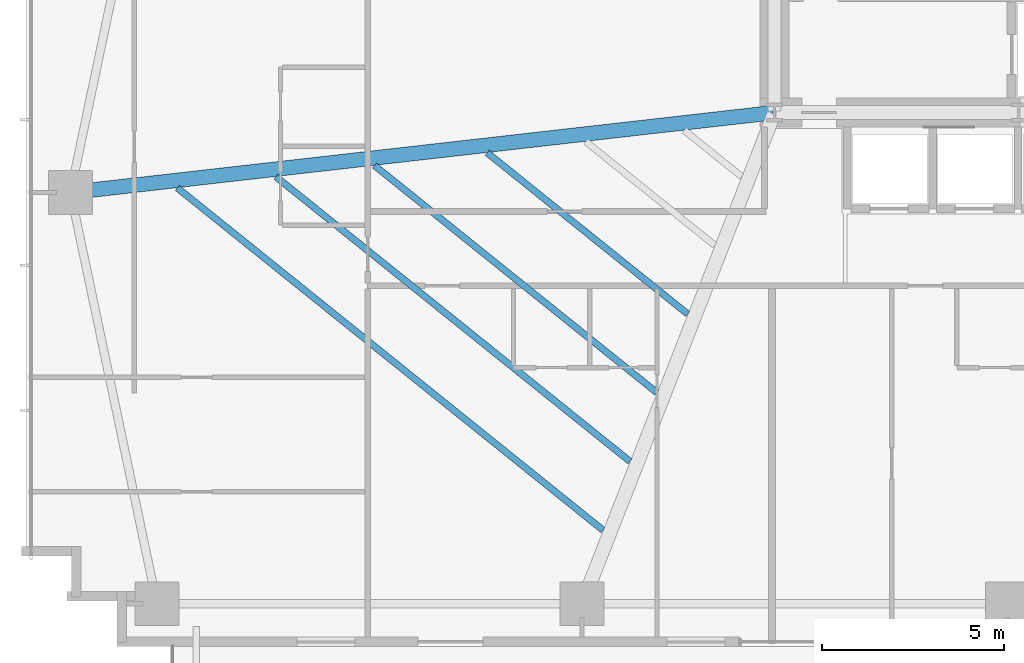
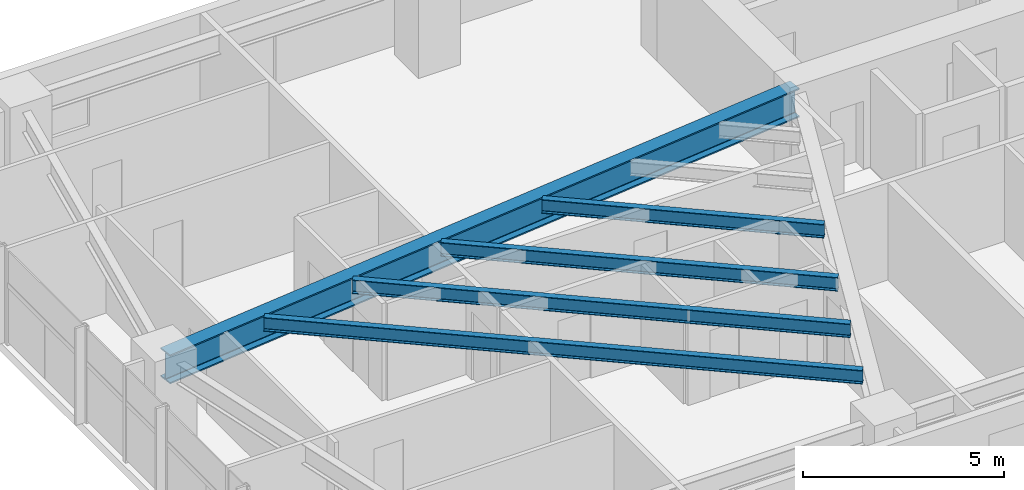
# One storey, part 5 of 25: 5 beams.
"""IFC4 building model written with IfcOpenShell, lengths in metres."""

from ifc_helpers import new_model, si_unit, direction, frame, origin, origin_2d, place, context, subcontext, project, spatial, i_section, extrude, source, transform, mapped, material, material_profile, profile_set, type_object, type_shapes, element, save


model = new_model("IFC4")

# Units and contexts
model_context = context("Model", 3, precision=1e-05, world=origin(), true_north=direction((0.0, 1.0)))
body_context = subcontext(model_context, "Body", "Model", "MODEL_VIEW")
ifc_project = project(units=[si_unit("LENGTHUNIT", "METRE"), si_unit("AREAUNIT", "SQUARE_METRE"), si_unit("VOLUMEUNIT", "CUBIC_METRE"), si_unit("PLANEANGLEUNIT", "RADIAN"), si_unit("MASSUNIT", "GRAM", prefix="KILO")], contexts=[model_context])

# Site, building, storey
site_placement = place(None, origin())
site = spatial("IfcSite", under=ifc_project, at=site_placement, CompositionType="ELEMENT")
building_placement = place(site_placement, origin())
building = spatial("IfcBuilding", under=site, at=building_placement, Name="Astriad Promenade Condominiums", CompositionType="ELEMENT")
storey_placement = place(building_placement, frame((0.0, 0.0, 48.60009765625)))
storey = spatial("IfcBuildingStorey", under=building, at=storey_placement, Name="L13", CompositionType="ELEMENT", Elevation=48.60009765625)

# Beams
ifc_material = material(Name="Steel ASTM A992 Grade 50", Category="steel")
ifc_material_profile_1 = material_profile(ifc_material, i_section(OverallWidth=0.4013671875, OverallDepth=0.877197265625, WebThickness=0.022216796875, FlangeThickness=0.039794921875, FilletRadius=0.02294921875, at=origin_2d()), Name="W33X263")
ifc_profile_set_1 = profile_set([ifc_material_profile_1], Name="Steel ASTM A992 Grade 50")
beam_type_1 = type_object("IfcBeamType", Name="STEEL PRIMARY GIRDER W33X263", PredefinedType="BEAM", material=ifc_profile_set_1)
shared_shape_1 = source(origin(), body_context, "Body", "SweptSolid", [
    extrude(i_section(OverallWidth=0.4013671875, OverallDepth=0.877197265625, WebThickness=0.022216796875, FlangeThickness=0.039794921875, FilletRadius=0.02294921875, at=origin_2d()), origin(), (0.0, 0.0, 1.0), 19.424560546875),
])
type_shapes(beam_type_1, [shared_shape_1])
beam_1_placement = place(storey_placement, frame((7.059814453125, 15.20458984375, 2.501220703125), z_axis=(0.993618675315, 0.11279152479, 0.0), x_axis=(-0.11279152479, 0.993618675315, 0.0)))
element("IfcBeam", 1, at=beam_1_placement, inside=storey, type_object=beam_type_1, Name="Primary Floor Girder PG-WM-L13", PredefinedType="BEAM", context=body_context, shape_type="MappedRepresentation", body=[
    mapped(shared_shape_1, transform((0.0, 0.0, 0.0), scale=1.0)),
])
ifc_material_profile_2 = material_profile(ifc_material, i_section(OverallWidth=0.180908203125, OverallDepth=0.417236328125, WebThickness=0.010986328125, FlangeThickness=0.018310546875, FilletRadius=0.013916015625, at=origin_2d()), Name="W16X57")
ifc_profile_set_2 = profile_set([ifc_material_profile_2], Name="Steel ASTM A992 Grade 50")
beam_type_2 = type_object("IfcBeamType", Name="STEEL FLOOR JOIST W16X57", PredefinedType="JOIST", material=ifc_profile_set_2)
shared_shape_2 = source(origin(), body_context, "Body", "SweptSolid", [
    extrude(i_section(OverallWidth=0.180908203125, OverallDepth=0.417236328125, WebThickness=0.010986328125, FlangeThickness=0.018310546875, FilletRadius=0.013916015625, at=origin_2d()), origin(), (0.0, 0.0, 1.0), 15.033447265625),
])
beam_2_placement = place(storey_placement, frame((9.961181640625, 15.32470703125, 2.731201171875), z_axis=(0.779353434302, -0.626584570862, 0.0), x_axis=(0.626584570862, 0.779353434302, 0.0)))
element("IfcBeam", 2, at=beam_2_placement, inside=storey, type_object=beam_type_2, Name="Secondary Composite Floor Joist JW1-1-L13", PredefinedType="JOIST", context=body_context, shape_type="MappedRepresentation", body=[
    mapped(shared_shape_2, transform((0.0, 0.0, 0.0), scale=1.0)),
])
shared_shape_3 = source(origin(), body_context, "Body", "SweptSolid", [
    extrude(i_section(OverallWidth=0.180908203125, OverallDepth=0.417236328125, WebThickness=0.010986328125, FlangeThickness=0.018310546875, FilletRadius=0.013916015625, at=origin_2d()), origin(), (0.0, 0.0, 1.0), 12.50439453125),
])
beam_3_placement = place(storey_placement, frame((12.67431640625, 15.6328125, 2.731201171875), z_axis=(0.77935791062, -0.626579003122, 0.0), x_axis=(0.626579003122, 0.77935791062, 0.0)))
element("IfcBeam", 3, at=beam_3_placement, inside=storey, type_object=beam_type_2, Name="Secondary Composite Floor Joist JW1-2-L13", PredefinedType="JOIST", context=body_context, shape_type="MappedRepresentation", body=[
    mapped(shared_shape_3, transform((0.0, 0.0, 0.0), scale=1.0)),
])
shared_shape_4 = source(origin(), body_context, "Body", "SweptSolid", [
    extrude(i_section(OverallWidth=0.180908203125, OverallDepth=0.417236328125, WebThickness=0.010986328125, FlangeThickness=0.018310546875, FilletRadius=0.013916015625, at=origin_2d()), origin(), (0.0, 0.0, 1.0), 9.97509765625),
])
beam_4_placement = place(storey_placement, frame((15.387451171875, 15.94091796875, 2.731201171875), z_axis=(0.779355047887, -0.626582563859, 0.0), x_axis=(0.626582563859, 0.779355047887, 0.0)))
element("IfcBeam", 4, at=beam_4_placement, inside=storey, type_object=beam_type_2, Name="Secondary Composite Floor Joist JW1-3-L13", PredefinedType="JOIST", context=body_context, shape_type="MappedRepresentation", body=[
    mapped(shared_shape_4, transform((0.0, 0.0, 0.0), scale=1.0)),
])
shared_shape_5 = source(origin(), body_context, "Body", "SweptSolid", [
    extrude(i_section(OverallWidth=0.180908203125, OverallDepth=0.417236328125, WebThickness=0.010986328125, FlangeThickness=0.018310546875, FilletRadius=0.013916015625, at=origin_2d()), origin(), (0.0, 0.0, 1.0), 7.08447265625),
])
type_shapes(beam_type_2, [shared_shape_2, shared_shape_3, shared_shape_4, shared_shape_5])
beam_5_placement = place(storey_placement, frame((18.48828125, 16.292724609375, 2.731201171875), z_axis=(0.779353562297, -0.62658441166, 0.0), x_axis=(0.62658441166, 0.779353562297, 0.0)))
element("IfcBeam", 5, at=beam_5_placement, inside=storey, type_object=beam_type_2, Name="Secondary Composite Floor Joist JW1-4-L13", PredefinedType="JOIST", context=body_context, shape_type="MappedRepresentation", body=[
    mapped(shared_shape_5, transform((0.0, 0.0, 0.0), scale=1.0)),
])

save(model, "model.ifc")
